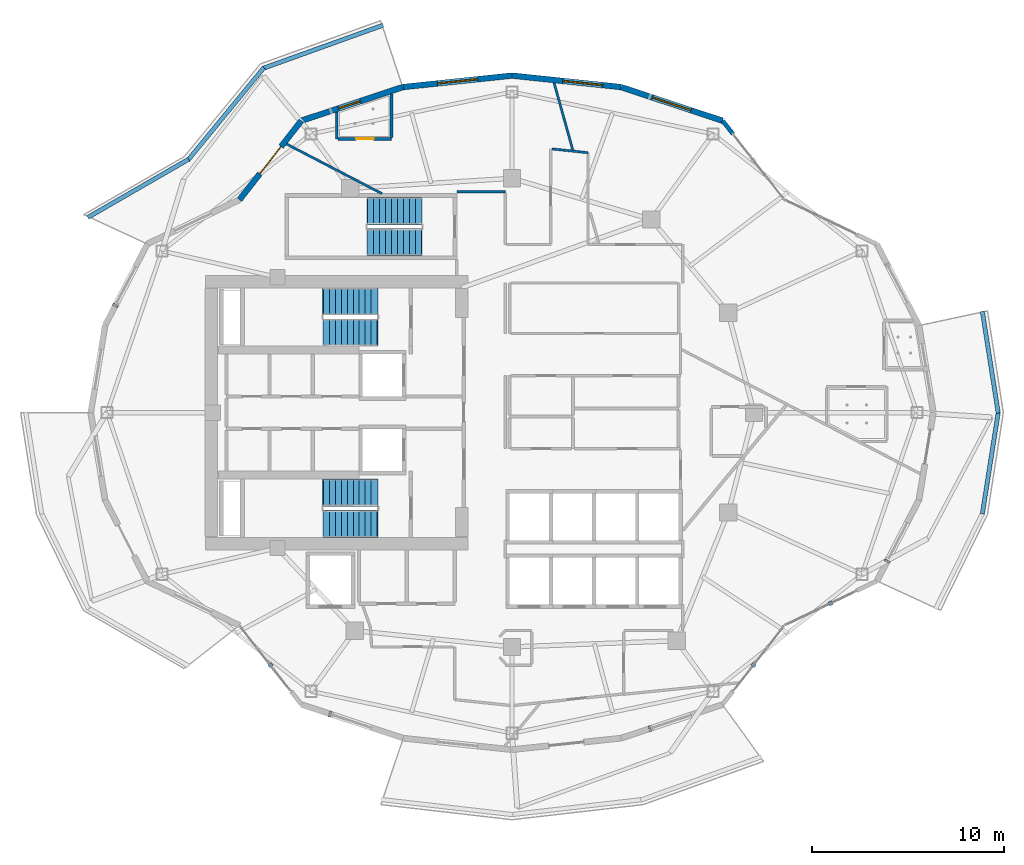
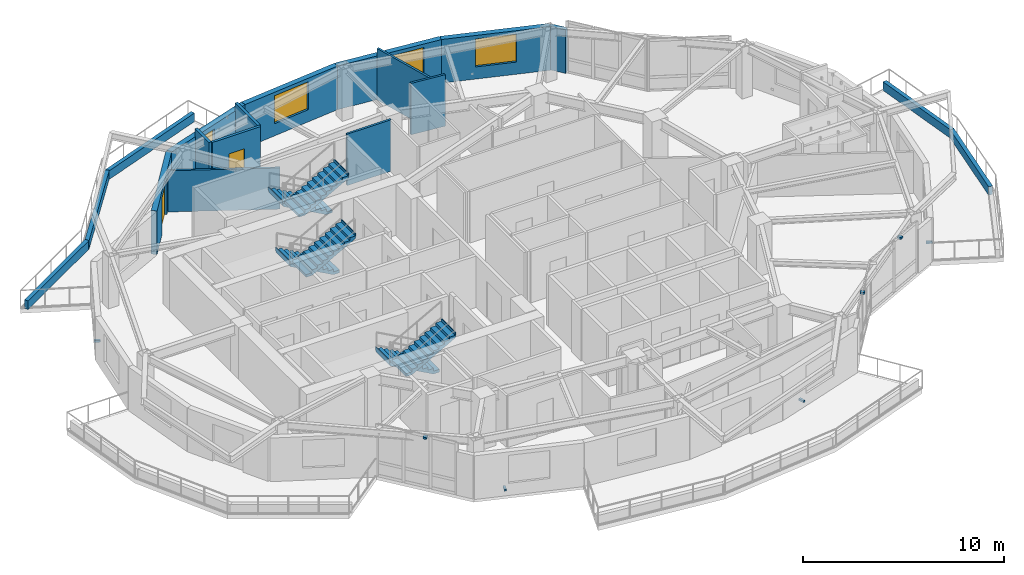
# One storey, part 12 of 19: 18 walls, 7 discrete accessories, 6 stair flights, 4 windows, 2 doors, 6 openings, 3 elements without a shape of their own.
"""IFC4 building model written with IfcOpenShell, lengths in metres."""

from ifc_helpers import new_model, si_unit, direction, frame, frame_2d, origin, origin_2d, place, context, subcontext, project, spatial, polyline, rectangle, outline, extrude, material, layer, layer_set, type_object, element, fill, aggregate, save


model = new_model("IFC4")

# Units and contexts
model_context = context("Model", 3, precision=1e-05, world=origin(), true_north=direction((0.0, 1.0)))
body_context = subcontext(model_context, "Body", "Model", "MODEL_VIEW")
ifc_project = project(units=[si_unit("LENGTHUNIT", "METRE"), si_unit("AREAUNIT", "SQUARE_METRE"), si_unit("VOLUMEUNIT", "CUBIC_METRE"), si_unit("PLANEANGLEUNIT", "RADIAN"), si_unit("MASSUNIT", "GRAM", prefix="KILO")], contexts=[model_context])

# Site, building, storey
site_placement = place(None, origin())
site = spatial("IfcSite", under=ifc_project, at=site_placement, CompositionType="ELEMENT")
building_placement = place(site_placement, origin())
building = spatial("IfcBuilding", under=site, at=building_placement, Name="Kolvaren Gate Tower and Convention Centre", CompositionType="ELEMENT")
storey_placement = place(building_placement, frame((0.0, 0.0, 169.89990234375)))
storey = spatial("IfcBuildingStorey", under=building, at=storey_placement, Name="L44", CompositionType="ELEMENT", Elevation=169.89990234375)

# Walls
ifc_material_1 = material(Name="Fire-Rated Acoustic Gypsum Stud Partition", Category="gypsum")
ifc_layer_1 = layer(ifc_material_1, 0.1201171875)
ifc_layer_set_1 = layer_set([ifc_layer_1], Name="Fire-Rated Acoustic Gypsum Stud Partition")
wall_type_1 = type_object("IfcWallType", Name="ARCH-WL-PART-120", PredefinedType="PARTITIONING", material=ifc_layer_set_1)
wall_1_placement = place(storey_placement, frame((27.25, 38.5, 0.0), z_axis=(0.0, 0.0, 1.0), x_axis=(1.0, 0.0, 0.0)))
element("IfcWall", 1, at=wall_1_placement, inside=storey, type_object=wall_type_1, Name="Interior Partition WL-L44-INT-038", PredefinedType="PARTITIONING", context=body_context, shape_type="SweptSolid", body=[
    extrude(rectangle(XDim=2.530029296875, YDim=0.1201171875, at=frame_2d((1.26513671875, 0.0))), origin(), (0.0, 0.0, 1.0), 3.130126953125),
])
wall_2_placement = place(storey_placement, frame((32.2119140625, 40.73046875, 0.0), z_axis=(0.0, 0.0, 1.0), x_axis=(0.994511860417, -0.104623895405, 0.0)))
element("IfcWall", 2, at=wall_2_placement, inside=storey, type_object=wall_type_1, Name="Interior Partition WL-L44-INT-046", PredefinedType="PARTITIONING", context=body_context, shape_type="SweptSolid", body=[
    extrude(rectangle(XDim=1.87841796875, YDim=0.1201171875, at=frame_2d((0.939208984375, 0.0))), origin(), (0.0, 0.0, 1.0), 3.130126953125),
])
wall_3_placement = place(storey_placement, frame((18.39599609375, 40.981201171875, 0.0), z_axis=(0.0, 0.0, 1.0), x_axis=(0.887120213162, -0.461538435452, 0.0)))
element("IfcWall", 3, at=wall_3_placement, inside=storey, type_object=wall_type_1, Name="Interior Partition WL-L44-INT-054", PredefinedType="PARTITIONING", context=body_context, shape_type="SweptSolid", body=[
    extrude(rectangle(XDim=5.588134765625, YDim=0.1201171875, at=frame_2d((2.7939453125, 0.0))), origin(), (0.0, 0.0, 1.0), 2.505126953125),
])
wall_4_placement = place(storey_placement, frame((32.317138671875, 44.166259765625, 0.0), z_axis=(0.0, 0.0, 1.0), x_axis=(0.268461316047, -0.963290465948, 0.0)))
element("IfcWall", 4, at=wall_4_placement, inside=storey, type_object=wall_type_1, Name="Interior Partition WL-L44-INT-070", PredefinedType="PARTITIONING", context=body_context, shape_type="SweptSolid", body=[
    extrude(rectangle(XDim=3.619384765625, YDim=0.1201171875, at=frame_2d((1.8095703125, 0.0))), origin(), (0.0, 0.0, 1.0), 3.130126953125),
])
ifc_material_2 = material(Name="Bogota Sabana Bush-Hammered Sandstone Cladding", Category="masonry")
ifc_layer_2 = layer(ifc_material_2, 0.219970703125)
ifc_layer_set_2 = layer_set([ifc_layer_2], Name="Bogota Sabana Bush-Hammered Sandstone Cladding")
wall_type_2 = type_object("IfcWallType", Name="ARCH-WL-PIER-220", PredefinedType="SOLIDWALL", material=ifc_layer_set_2)
wall_5_placement = place(storey_placement, frame((41.09375, 42.19873046875, 0.0), z_axis=(0.0, 0.0, 1.0), x_axis=(0.616368366719, -0.787457958566, 0.0)))
element("IfcWall", 5, at=wall_5_placement, inside=storey, type_object=wall_type_2, Name="Tower L44 Unitised Curtain Wall CW-HTL-UNIT Bay 03 Left Column Pier Wrap", PredefinedType="SOLIDWALL", context=body_context, shape_type="SweptSolid", body=[
    extrude(rectangle(XDim=0.876220703125, YDim=0.219970703125, at=frame_2d((0.43798828125, 0.0))), origin(), (0.0, 0.0, 1.0), 2.653076171875),
])
ifc_material_3 = material(Name="Piedmont Cream Honed Limestone Cladding", Category="masonry")
ifc_layer_3 = layer(ifc_material_3, 0.219970703125)
ifc_layer_set_3 = layer_set([ifc_layer_3], Name="Piedmont Cream Honed Limestone Cladding")
wall_type_3 = type_object("IfcWallType", Name="ARCH-WL-PLANTER-220", PredefinedType="PARAPET", material=ifc_layer_set_3)
wall_6_placement = place(storey_placement, frame((17.14306640625, 44.917724609375, 0.0), z_axis=(0.0, 0.0, 1.0), x_axis=(0.94094437769, 0.33856118811, 0.0)))
element("IfcWall", 6, at=wall_6_placement, inside=storey, type_object=wall_type_3, Name="Vertical-Forest Balcony Stone Planter Kerb PK-L44-1.1", PredefinedType="PARAPET", context=body_context, shape_type="SweptSolid", body=[
    extrude(rectangle(XDim=6.663818359375, YDim=0.219970703125, at=frame_2d((3.33203125, 0.0))), origin(), (0.0, 0.0, 1.0), 0.52001953125),
])
wall_7_placement = place(storey_placement, frame((13.24609375, 40.13720703125, 0.0), z_axis=(0.0, 0.0, 1.0), x_axis=(0.634429234628, 0.77298094818, 0.0)))
element("IfcWall", 7, at=wall_7_placement, inside=storey, type_object=wall_type_3, Name="Vertical-Forest Balcony Stone Planter Kerb PK-L44-1.2", PredefinedType="PARAPET", context=body_context, shape_type="SweptSolid", body=[
    extrude(rectangle(XDim=6.244873046875, YDim=0.219970703125, at=frame_2d((3.12255859375, 0.0))), origin(), (0.0, 0.0, 1.0), 0.52001953125),
])
wall_8_placement = place(storey_placement, frame((8.0439453125, 37.16552734375, 0.0), z_axis=(0.0, 0.0, 1.0), x_axis=(0.866058128659, 0.499943314571, 0.0)))
element("IfcWall", 8, at=wall_8_placement, inside=storey, type_object=wall_type_3, Name="Vertical-Forest Balcony Stone Planter Kerb PK-L44-1.3", PredefinedType="PARAPET", context=body_context, shape_type="SweptSolid", body=[
    extrude(rectangle(XDim=6.060302734375, YDim=0.219970703125, at=frame_2d((3.0302734375, 0.0))), origin(), (0.0, 0.0, 1.0), 0.52001953125),
])
for number, where, z_axis, x_axis, name in (
    (9, (54.615234375, 21.719970703125, 0.0), (0.0, 0.0, 1.0), (0.154245214003, 0.988032597619, 0.0), "Vertical-Forest Balcony Stone Planter Kerb PK-L44-4.2"),
    (10, (54.615234375, 32.280029296875, 0.0), (0.0, 0.0, 1.0), (0.154245214003, -0.988032597619, 0.0), "Vertical-Forest Balcony Stone Planter Kerb PK-L44-4.3"),
):
    element("IfcWall", number, at=place(storey_placement, frame(where, z_axis=z_axis, x_axis=x_axis)), inside=storey, type_object=wall_type_3, Name=name, PredefinedType="PARAPET", context=body_context, shape_type="SweptSolid", body=[
        extrude(rectangle(XDim=5.37353515625, YDim=0.219970703125, at=frame_2d((2.686767578125, 0.0))), origin(), (0.0, 0.0, 1.0), 0.52001953125),
    ])

# Wall, opening, window
ifc_layer_4 = layer(ifc_material_3, 0.300048828125)
ifc_layer_set_4 = layer_set([ifc_layer_4], Name="Piedmont Cream Honed Limestone Cladding")
wall_type_4 = type_object("IfcWallType", Name="ARCH-WL-STONE-300", PredefinedType="SOLIDWALL", material=ifc_layer_set_4)
wall_9_placement = place(storey_placement, frame((35.802734375, 43.951904296875, 0.0), z_axis=(0.0, 0.0, 1.0), x_axis=(0.949246811547, -0.314532177636, 0.0)))
wall_9 = element("IfcWall", 11, at=wall_9_placement, inside=storey, type_object=wall_type_4, Name="Tower L44 Honed Stone Spandrel Wall EW-04", PredefinedType="SOLIDWALL", context=body_context, shape_type="SweptSolid", body=[
    extrude(rectangle(XDim=5.573974609375, YDim=0.300048828125, at=frame_2d((2.787109375, 0.0))), origin(), (0.0, 0.0, 1.0), 2.653076171875),
])
opening_1_placement = place(wall_9_placement, frame((1.737060546875, 0.0, 0.739990234375)))
opening_1 = element("IfcOpeningElement", 12, at=opening_1_placement, cuts=wall_9, Name="Opening W-02", PredefinedType="OPENING", context=body_context, shape_type="SweptSolid", body=[
    extrude(rectangle(XDim=2.10009765625, YDim=1.699951171875, at=frame_2d((1.050048828125, 0.85009765625))), frame((0.0, 0.159912109375, 0.0), z_axis=(0.0, -1.0, 0.0), x_axis=(1.0, 0.0, 0.0)), (0.0, 0.0, 1.0), 0.320068359375),
])
ifc_material_4 = material(Name="Low-E Triple Insulated Glazing Unit 44 mm", Category="glass")
window_type_1 = type_object("IfcWindowType", Name="ARCH-WN-HTL-2100", PartitioningType="SINGLE_PANEL", PredefinedType="WINDOW", material=ifc_material_4)
window_1_placement = place(opening_1_placement, origin())
window_1 = element("IfcWindow", 13, at=window_1_placement, inside=storey, type_object=window_type_1, Name="Tower L44 Punched Stone Facade Window W-04", OverallHeight=1.699951171875, OverallWidth=2.10009765625, PartitioningType="SINGLE_PANEL", PredefinedType="WINDOW", context=body_context, shape_type="SweptSolid", body=[
    extrude(rectangle(XDim=2.10009765625, YDim=1.699951171875, at=frame_2d((1.050048828125, 0.85009765625))), frame((0.0, 0.030029296875, 0.0), z_axis=(0.0, -1.0, 0.0), x_axis=(1.0, 0.0, 0.0)), (0.0, 0.0, 1.0), 0.06005859375),
])
fill(opening_1, window_1)

wall_10_placement = place(storey_placement, frame((30.125, 44.550048828125, 0.0), z_axis=(0.0, 0.0, 1.0), x_axis=(0.994496545245, -0.104769372887, 0.0)))
wall_10 = element("IfcWall", 14, at=wall_10_placement, inside=storey, type_object=wall_type_4, Name="Tower L44 Honed Stone Spandrel Wall EW-05", PredefinedType="SOLIDWALL", context=body_context, shape_type="SweptSolid", body=[
    extrude(rectangle(XDim=5.709228515625, YDim=0.300048828125, at=frame_2d((2.8544921875, 0.0))), origin(), (0.0, 0.0, 1.0), 2.653076171875),
])
opening_2_placement = place(wall_10_placement, frame((2.64990234375, 0.0, 0.739990234375)))
opening_2 = element("IfcOpeningElement", 15, at=opening_2_placement, cuts=wall_10, Name="Opening W-02", PredefinedType="OPENING", context=body_context, shape_type="SweptSolid", body=[
    extrude(rectangle(XDim=2.10009765625, YDim=1.699951171875, at=frame_2d((1.050048828125, 0.85009765625))), frame((0.0, 0.159912109375, 0.0), z_axis=(0.0, -1.0, 0.0), x_axis=(1.0, 0.0, 0.0)), (0.0, 0.0, 1.0), 0.320068359375),
])
window_2_placement = place(opening_2_placement, origin())
window_2 = element("IfcWindow", 16, at=window_2_placement, inside=storey, type_object=window_type_1, Name="Tower L44 Punched Stone Facade Window W-05", OverallHeight=1.699951171875, OverallWidth=2.10009765625, PartitioningType="SINGLE_PANEL", PredefinedType="WINDOW", context=body_context, shape_type="SweptSolid", body=[
    extrude(rectangle(XDim=2.10009765625, YDim=1.699951171875, at=frame_2d((1.050048828125, 0.85009765625))), frame((0.0, 0.030029296875, 0.0), z_axis=(0.0, -1.0, 0.0), x_axis=(1.0, 0.0, 0.0)), (0.0, 0.0, 1.0), 0.06005859375),
])
fill(opening_2, window_2)

wall_11_placement = place(storey_placement, frame((24.447265625, 43.951904296875, 0.0), z_axis=(0.0, 0.0, 1.0), x_axis=(0.994496545245, 0.104769372887, 0.0)))
wall_11 = element("IfcWall", 17, at=wall_11_placement, inside=storey, type_object=wall_type_4, Name="Tower L44 Honed Stone Spandrel Wall EW-06", PredefinedType="SOLIDWALL", context=body_context, shape_type="SweptSolid", body=[
    extrude(rectangle(XDim=5.709228515625, YDim=0.300048828125, at=frame_2d((2.8544921875, 0.0))), origin(), (0.0, 0.0, 1.0), 2.653076171875),
])
opening_3_placement = place(wall_11_placement, frame((1.804931640625, 0.0, 0.739990234375)))
opening_3 = element("IfcOpeningElement", 18, at=opening_3_placement, cuts=wall_11, Name="Opening W-02", PredefinedType="OPENING", context=body_context, shape_type="SweptSolid", body=[
    extrude(rectangle(XDim=2.10009765625, YDim=1.699951171875, at=frame_2d((1.050048828125, 0.85009765625))), frame((0.0, 0.159912109375, 0.0), z_axis=(0.0, -1.0, 0.0), x_axis=(1.0, 0.0, 0.0)), (0.0, 0.0, 1.0), 0.320068359375),
])
window_3_placement = place(opening_3_placement, origin())
window_3 = element("IfcWindow", 19, at=window_3_placement, inside=storey, type_object=window_type_1, Name="Tower L44 Punched Stone Facade Window W-06", OverallHeight=1.699951171875, OverallWidth=2.10009765625, PartitioningType="SINGLE_PANEL", PredefinedType="WINDOW", context=body_context, shape_type="SweptSolid", body=[
    extrude(rectangle(XDim=2.10009765625, YDim=1.699951171875, at=frame_2d((1.050048828125, 0.85009765625))), frame((0.0, 0.030029296875, 0.0), z_axis=(0.0, -1.0, 0.0), x_axis=(1.0, 0.0, 0.0)), (0.0, 0.0, 1.0), 0.06005859375),
])
fill(opening_3, window_3)

wall_12_placement = place(storey_placement, frame((19.15625, 42.19873046875, 0.0), z_axis=(0.0, 0.0, 1.0), x_axis=(0.949246811547, 0.314532177636, 0.0)))
wall_12 = element("IfcWall", 20, at=wall_12_placement, inside=storey, type_object=wall_type_4, Name="Tower L44 Honed Stone Spandrel Wall EW-07", PredefinedType="SOLIDWALL", context=body_context, shape_type="SweptSolid", body=[
    extrude(rectangle(XDim=5.573974609375, YDim=0.300048828125, at=frame_2d((2.787109375, 0.0))), origin(), (0.0, 0.0, 1.0), 2.653076171875),
])
opening_4_placement = place(wall_12_placement, frame((2.0400390625, 0.0, 0.719970703125)))
opening_4 = element("IfcOpeningElement", 21, at=opening_4_placement, cuts=wall_12, Name="Opening W-04", PredefinedType="OPENING", context=body_context, shape_type="SweptSolid", body=[
    extrude(rectangle(XDim=1.199951171875, YDim=1.64990234375, at=frame_2d((0.60009765625, 0.824951171875))), frame((0.0, 0.159912109375, 0.0), z_axis=(0.0, -1.0, 0.0), x_axis=(1.0, 0.0, 0.0)), (0.0, 0.0, 1.0), 0.320068359375),
])
window_type_2 = type_object("IfcWindowType", Name="ARCH-WN-NARROW-1200", PartitioningType="SINGLE_PANEL", PredefinedType="WINDOW", material=ifc_material_4)
window_4_placement = place(opening_4_placement, origin())
window_4 = element("IfcWindow", 22, at=window_4_placement, inside=storey, type_object=window_type_2, Name="Tower L44 Punched Stone Facade Window W-07", OverallHeight=1.64990234375, OverallWidth=1.199951171875, PartitioningType="SINGLE_PANEL", PredefinedType="WINDOW", context=body_context, shape_type="SweptSolid", body=[
    extrude(rectangle(XDim=1.199951171875, YDim=1.64990234375, at=frame_2d((0.60009765625, 0.824951171875))), frame((0.0, 0.030029296875, 0.0), z_axis=(0.0, -1.0, 0.0), x_axis=(1.0, 0.0, 0.0)), (0.0, 0.0, 1.0), 0.06005859375),
])
fill(opening_4, window_4)

# Wall, opening, door
wall_13_placement = place(storey_placement, frame((15.9365234375, 38.0859375, 0.0), z_axis=(0.0, 0.0, 1.0), x_axis=(0.616429245738, 0.787410302828, 0.0)))
wall_13 = element("IfcWall", 23, at=wall_13_placement, inside=storey, type_object=wall_type_4, Name="Tower L44 Honed Stone Spandrel Wall EW-08", PredefinedType="SOLIDWALL", context=body_context, shape_type="SweptSolid", body=[
    extrude(rectangle(XDim=5.22314453125, YDim=0.300048828125, at=frame_2d((2.611572265625, 0.0))), origin(), (0.0, 0.0, 1.0), 2.653076171875),
])
opening_5_placement = place(wall_13_placement, frame((1.7119140625, 0.0, 0.0)))
opening_5 = element("IfcOpeningElement", 24, at=opening_5_placement, cuts=wall_13, Name="Opening DB-01", PredefinedType="OPENING", context=body_context, shape_type="SweptSolid", body=[
    extrude(rectangle(XDim=1.800048828125, YDim=2.25, at=frame_2d((0.89990234375, 1.125))), frame((0.0, 0.159912109375, 0.0), z_axis=(0.0, -1.0, 0.0), x_axis=(1.0, 0.0, 0.0)), (0.0, 0.0, 1.0), 0.320068359375),
])
ifc_material_5 = material(Name="Anodized Architectural Aluminium Alloy 6063-T6", Category="aluminium")
door_type_1 = type_object("IfcDoorType", Name="ARCH-DR-BALC-1800", OperationType="SLIDING_TO_LEFT", PredefinedType="DOOR", material=ifc_material_5)
door_1_placement = place(opening_5_placement, origin())
door_1 = element("IfcDoor", 25, at=door_1_placement, inside=storey, type_object=door_type_1, Name="Planted Sky Terrace Access Door DB-L44-08", OperationType="SLIDING_TO_LEFT", OverallHeight=2.25, OverallWidth=1.800048828125, PredefinedType="DOOR", context=body_context, shape_type="SweptSolid", body=[
    extrude(rectangle(XDim=1.800048828125, YDim=2.25, at=frame_2d((0.89990234375, 1.125))), frame((0.0, 0.02490234375, 0.0), z_axis=(0.0, -1.0, 0.0), x_axis=(1.0, 0.0, 0.0)), (0.0, 0.0, 1.0), 0.050048828125),
])
fill(opening_5, door_1)

# Wall
ifc_material_6 = material(Name="Moisture-Resistant Cement-Board Acoustic Partition", Category="gypsum")
ifc_layer_5 = layer(ifc_material_6, 0.14990234375)
ifc_layer_set_5 = layer_set([ifc_layer_5], Name="Moisture-Resistant Cement-Board Acoustic Partition")
wall_type_5 = type_object("IfcWallType", Name="ARCH-WL-WET-150", PredefinedType="PARTITIONING", material=ifc_layer_set_5)
wall_14_placement = place(storey_placement, frame((21.0, 41.25, 0.0), z_axis=(0.0, 0.0, 1.0), x_axis=(0.0, 1.0, 0.0)))
element("IfcWall", 26, at=wall_14_placement, inside=storey, type_object=wall_type_5, Name="Interior Partition WL-L44-INT-072", PredefinedType="PARTITIONING", context=body_context, shape_type="SweptSolid", body=[
    extrude(rectangle(XDim=1.3994140625, YDim=0.14990234375, at=frame_2d((0.69970703125, 0.0))), origin(), (0.0, 0.0, 1.0), 3.130126953125),
])

# Wall, opening, door
wall_15_placement = place(storey_placement, frame((21.076904296875, 41.25, 0.0), z_axis=(0.0, 0.0, 1.0), x_axis=(1.0, 0.0, 0.0)))
wall_15 = element("IfcWall", 27, at=wall_15_placement, inside=storey, type_object=wall_type_5, Name="Interior Partition WL-L44-INT-073", PredefinedType="PARTITIONING", context=body_context, shape_type="SweptSolid", body=[
    extrude(rectangle(XDim=2.773193359375, YDim=0.14990234375, at=frame_2d((1.38671875, 0.0))), origin(), (0.0, 0.0, 1.0), 3.130126953125),
])
opening_6_placement = place(wall_15_placement, frame((0.9365234375, 0.0, 0.0)))
opening_6 = element("IfcOpeningElement", 28, at=opening_6_placement, cuts=wall_15, Name="Opening DW-01", PredefinedType="OPENING", context=body_context, shape_type="SweptSolid", body=[
    extrude(rectangle(XDim=0.89990234375, YDim=2.10009765625, at=frame_2d((0.449951171875, 1.050048828125))), frame((0.0, 0.0849609375, 0.0), z_axis=(0.0, -1.0, 0.0), x_axis=(1.0, 0.0, 0.0)), (0.0, 0.0, 1.0), 0.169921875),
])
ifc_material_7 = material(Name="FSC Andean Oak Engineered Veneer Door Leaf", Category="wood")
door_type_2 = type_object("IfcDoorType", Name="ARCH-DR-WC-900", OperationType="SINGLE_SWING_RIGHT", PredefinedType="DOOR", material=ifc_material_7)
door_2_placement = place(opening_6_placement, origin())
door_2 = element("IfcDoor", 29, at=door_2_placement, inside=storey, type_object=door_type_2, Name="En-suite Bathroom (HTL-L44-06) Door", OperationType="SINGLE_SWING_RIGHT", OverallHeight=2.10009765625, OverallWidth=0.89990234375, PredefinedType="DOOR", context=body_context, shape_type="SweptSolid", body=[
    extrude(rectangle(XDim=0.89990234375, YDim=2.10009765625, at=frame_2d((0.449951171875, 1.050048828125))), frame((0.0, 0.02490234375, 0.0), z_axis=(0.0, -1.0, 0.0), x_axis=(1.0, 0.0, 0.0)), (0.0, 0.0, 1.0), 0.050048828125),
])
fill(opening_6, door_2)

# Wall
wall_16_placement = place(storey_placement, frame((23.85009765625, 41.326904296875, 0.0), z_axis=(0.0, 0.0, 1.0), x_axis=(0.0, 1.0, 0.0)))
element("IfcWall", 30, at=wall_16_placement, inside=storey, type_object=wall_type_5, Name="Interior Partition WL-L44-INT-074", PredefinedType="PARTITIONING", context=body_context, shape_type="SweptSolid", body=[
    extrude(rectangle(XDim=2.26708984375, YDim=0.14990234375, at=frame_2d((1.133544921875, 0.0))), origin(), (0.0, 0.0, 1.0), 3.130126953125),
])

# Stair, stair flights
ifc_material_8 = material(Name="Concrete C50/60", Category="concrete")
stair_type = type_object("IfcStairType", Name="STR-STAIR-CORE", PredefinedType="HALF_TURN_STAIR", material=ifc_material_8)
stair_1_placement = place(storey_placement, origin())
stair_1 = element("IfcStair", 31, at=stair_1_placement, inside=storey, type_object=stair_type, Name="L44 Tower North Exit Stair ST-T1", PredefinedType="HALF_TURN_STAIR")
stair_flight_type = type_object("IfcStairFlightType", Name="STR-SFL-1420", PredefinedType="STRAIGHT", material=ifc_material_8)
stair_flight_1_placement = place(storey_placement, frame((23.10009765625, 32.7900390625, 0.0), z_axis=(0.0, 0.0, 1.0), x_axis=(-1.0, 0.0, 0.0)))
stair_flight_1 = element("IfcStairFlight", 32, at=stair_flight_1_placement, type_object=stair_flight_type, Name="ST-T1 flight 1", NumberOfRisers=10, NumberOfTreads=9, PredefinedType="STRAIGHT", RiserHeight=0.17, TreadLength=0.31, context=body_context, shape_type="SweptSolid", body=[
    extrude(outline(polyline([(-0.034912109375, 0.0), (-0.034912109375, 0.169921875), (0.31005859375, 0.169921875), (0.31005859375, 0.340087890625), (0.6201171875, 0.340087890625), (0.6201171875, 0.510009765625), (0.929931640625, 0.510009765625), (0.929931640625, 0.679931640625), (1.239990234375, 0.679931640625), (1.239990234375, 0.85009765625), (1.550048828125, 0.85009765625), (1.550048828125, 1.02001953125), (1.860107421875, 1.02001953125), (1.860107421875, 1.18994140625), (2.169921875, 1.18994140625), (2.169921875, 1.360107421875), (2.47998046875, 1.360107421875), (2.47998046875, 1.530029296875), (2.7900390625, 1.530029296875), (2.7900390625, 1.699951171875), (2.8349609375, 1.699951171875), (2.8349609375, 1.5400390625), (2.7900390625, 1.359130859375), (0.311767578125, 0.0), (-0.034912109375, 0.0)])), frame((0.0, 0.7099609375, 0.0), z_axis=(0.0, -1.0, 0.0), x_axis=(1.0, 0.0, 0.0)), (0.0, 0.0, 1.0), 1.419921875),
])
stair_flight_2_placement = place(storey_placement, frame((20.31005859375, 31.169921875, 1.7001953125), z_axis=(0.0, 0.0, 1.0), x_axis=(1.0, 0.0, 0.0)))
stair_flight_2 = element("IfcStairFlight", 33, at=stair_flight_2_placement, type_object=stair_flight_type, Name="ST-T1 flight 2", NumberOfRisers=10, NumberOfTreads=9, PredefinedType="STRAIGHT", RiserHeight=0.17, TreadLength=0.31, context=body_context, shape_type="SweptSolid", body=[
    extrude(outline(polyline([(-0.034912109375, 0.0), (-0.034912109375, 0.169921875), (0.31005859375, 0.169921875), (0.31005859375, 0.340087890625), (0.6201171875, 0.340087890625), (0.6201171875, 0.510009765625), (0.929931640625, 0.510009765625), (0.929931640625, 0.679931640625), (1.239990234375, 0.679931640625), (1.239990234375, 0.85009765625), (1.550048828125, 0.85009765625), (1.550048828125, 1.02001953125), (1.860107421875, 1.02001953125), (1.860107421875, 1.18994140625), (2.169921875, 1.18994140625), (2.169921875, 1.360107421875), (2.47998046875, 1.360107421875), (2.47998046875, 1.530029296875), (2.7900390625, 1.530029296875), (2.7900390625, 1.699951171875), (2.8349609375, 1.699951171875), (2.8349609375, 1.5400390625), (2.7900390625, 1.359130859375), (0.311767578125, 0.0), (-0.034912109375, 0.0)])), frame((0.0, 0.7099609375, 0.0), z_axis=(0.0, -1.0, 0.0), x_axis=(1.0, 0.0, 0.0)), (0.0, 0.0, 1.0), 1.419921875),
])
aggregate(stair_1, [stair_flight_1, stair_flight_2])

stair_2_placement = place(storey_placement, origin())
stair_2 = element("IfcStair", 34, at=stair_2_placement, inside=storey, type_object=stair_type, Name="L44 Tower South Exit Stair ST-T2", PredefinedType="HALF_TURN_STAIR")
stair_flight_3_placement = place(storey_placement, frame((23.10009765625, 22.830078125, 0.0), z_axis=(0.0, 0.0, 1.0), x_axis=(-1.0, 0.0, 0.0)))
stair_flight_3 = element("IfcStairFlight", 35, at=stair_flight_3_placement, type_object=stair_flight_type, Name="ST-T2 flight 1", NumberOfRisers=10, NumberOfTreads=9, PredefinedType="STRAIGHT", RiserHeight=0.17, TreadLength=0.31, context=body_context, shape_type="SweptSolid", body=[
    extrude(outline(polyline([(-0.034912109375, 0.0), (-0.034912109375, 0.169921875), (0.31005859375, 0.169921875), (0.31005859375, 0.340087890625), (0.6201171875, 0.340087890625), (0.6201171875, 0.510009765625), (0.929931640625, 0.510009765625), (0.929931640625, 0.679931640625), (1.239990234375, 0.679931640625), (1.239990234375, 0.85009765625), (1.550048828125, 0.85009765625), (1.550048828125, 1.02001953125), (1.860107421875, 1.02001953125), (1.860107421875, 1.18994140625), (2.169921875, 1.18994140625), (2.169921875, 1.360107421875), (2.47998046875, 1.360107421875), (2.47998046875, 1.530029296875), (2.7900390625, 1.530029296875), (2.7900390625, 1.699951171875), (2.8349609375, 1.699951171875), (2.8349609375, 1.5400390625), (2.7900390625, 1.359130859375), (0.311767578125, 0.0), (-0.034912109375, 0.0)])), frame((0.0, 0.7099609375, 0.0), z_axis=(0.0, -1.0, 0.0), x_axis=(1.0, 0.0, 0.0)), (0.0, 0.0, 1.0), 1.419921875),
])
stair_flight_4_placement = place(storey_placement, frame((20.31005859375, 21.2099609375, 1.7001953125), z_axis=(0.0, 0.0, 1.0), x_axis=(1.0, 0.0, 0.0)))
stair_flight_4 = element("IfcStairFlight", 36, at=stair_flight_4_placement, type_object=stair_flight_type, Name="ST-T2 flight 2", NumberOfRisers=10, NumberOfTreads=9, PredefinedType="STRAIGHT", RiserHeight=0.17, TreadLength=0.31, context=body_context, shape_type="SweptSolid", body=[
    extrude(outline(polyline([(-0.034912109375, 0.0), (-0.034912109375, 0.169921875), (0.31005859375, 0.169921875), (0.31005859375, 0.340087890625), (0.6201171875, 0.340087890625), (0.6201171875, 0.510009765625), (0.929931640625, 0.510009765625), (0.929931640625, 0.679931640625), (1.239990234375, 0.679931640625), (1.239990234375, 0.85009765625), (1.550048828125, 0.85009765625), (1.550048828125, 1.02001953125), (1.860107421875, 1.02001953125), (1.860107421875, 1.18994140625), (2.169921875, 1.18994140625), (2.169921875, 1.360107421875), (2.47998046875, 1.360107421875), (2.47998046875, 1.530029296875), (2.7900390625, 1.530029296875), (2.7900390625, 1.699951171875), (2.8349609375, 1.699951171875), (2.8349609375, 1.5400390625), (2.7900390625, 1.359130859375), (0.311767578125, 0.0), (-0.034912109375, 0.0)])), frame((0.0, 0.7099609375, 0.0), z_axis=(0.0, -1.0, 0.0), x_axis=(1.0, 0.0, 0.0)), (0.0, 0.0, 1.0), 1.419921875),
])
aggregate(stair_2, [stair_flight_3, stair_flight_4])

stair_3_placement = place(storey_placement, origin())
stair_3 = element("IfcStair", 37, at=stair_3_placement, inside=storey, type_object=stair_type, Name="L44 Tower Mid-Zone Exit Stair ST-T3", PredefinedType="HALF_TURN_STAIR")
stair_flight_5_placement = place(storey_placement, frame((25.39990234375, 37.489990234375, 0.0), z_axis=(0.0, 0.0, 1.0), x_axis=(-1.0, 0.0, 0.0)))
stair_flight_5 = element("IfcStairFlight", 38, at=stair_flight_5_placement, type_object=stair_flight_type, Name="ST-T3 flight 1", NumberOfRisers=10, NumberOfTreads=9, PredefinedType="STRAIGHT", RiserHeight=0.17, TreadLength=0.31, context=body_context, shape_type="SweptSolid", body=[
    extrude(outline(polyline([(-0.034912109375, 0.0), (-0.034912109375, 0.169921875), (0.31005859375, 0.169921875), (0.31005859375, 0.340087890625), (0.6201171875, 0.340087890625), (0.6201171875, 0.510009765625), (0.929931640625, 0.510009765625), (0.929931640625, 0.679931640625), (1.239990234375, 0.679931640625), (1.239990234375, 0.85009765625), (1.550048828125, 0.85009765625), (1.550048828125, 1.02001953125), (1.860107421875, 1.02001953125), (1.860107421875, 1.18994140625), (2.169921875, 1.18994140625), (2.169921875, 1.360107421875), (2.47998046875, 1.360107421875), (2.47998046875, 1.530029296875), (2.7900390625, 1.530029296875), (2.7900390625, 1.699951171875), (2.8349609375, 1.699951171875), (2.8349609375, 1.5400390625), (2.7900390625, 1.359130859375), (0.311767578125, 0.0), (-0.034912109375, 0.0)])), frame((0.0, 0.7099609375, 0.0), z_axis=(0.0, -1.0, 0.0), x_axis=(1.0, 0.0, 0.0)), (0.0, 0.0, 1.0), 1.419921875),
])
stair_flight_6_placement = place(storey_placement, frame((22.610107421875, 35.8701171875, 1.7001953125), z_axis=(0.0, 0.0, 1.0), x_axis=(1.0, 0.0, 0.0)))
stair_flight_6 = element("IfcStairFlight", 39, at=stair_flight_6_placement, type_object=stair_flight_type, Name="ST-T3 flight 2", NumberOfRisers=10, NumberOfTreads=9, PredefinedType="STRAIGHT", RiserHeight=0.17, TreadLength=0.31, context=body_context, shape_type="SweptSolid", body=[
    extrude(outline(polyline([(-0.034912109375, 0.0), (-0.034912109375, 0.169921875), (0.31005859375, 0.169921875), (0.31005859375, 0.340087890625), (0.6201171875, 0.340087890625), (0.6201171875, 0.510009765625), (0.929931640625, 0.510009765625), (0.929931640625, 0.679931640625), (1.239990234375, 0.679931640625), (1.239990234375, 0.85009765625), (1.550048828125, 0.85009765625), (1.550048828125, 1.02001953125), (1.860107421875, 1.02001953125), (1.860107421875, 1.18994140625), (2.169921875, 1.18994140625), (2.169921875, 1.360107421875), (2.47998046875, 1.360107421875), (2.47998046875, 1.530029296875), (2.7900390625, 1.530029296875), (2.7900390625, 1.699951171875), (2.8349609375, 1.699951171875), (2.8349609375, 1.5400390625), (2.7900390625, 1.359130859375), (0.311767578125, 0.0), (-0.034912109375, 0.0)])), frame((0.0, 0.7099609375, 0.0), z_axis=(0.0, -1.0, 0.0), x_axis=(1.0, 0.0, 0.0)), (0.0, 0.0, 1.0), 1.419921875),
])
aggregate(stair_3, [stair_flight_5, stair_flight_6])

# Discrete accessories
discrete_accessory_type = type_object("IfcDiscreteAccessoryType", Name="ARCH-ACC-BRACKET-120", PredefinedType="BRACKET", material=ifc_material_5)
discrete_accessory_1_placement = place(storey_placement, frame((9.474365234375, 32.583984375, 0.2900390625), z_axis=(0.0, 0.0, 1.0), x_axis=(0.459798409467, 0.888023323259, 0.0)))
element("IfcDiscreteAccessory", 40, at=discrete_accessory_1_placement, inside=storey, type_object=discrete_accessory_type, Name="Ceramic Fin Wall Anchor Bracket FBK-L44-10", PredefinedType="BRACKET", context=body_context, shape_type="SweptSolid", body=[
    extrude(rectangle(XDim=0.1201171875, YDim=0.320068359375, at=origin_2d()), origin(), (0.0, 0.0, 1.0), 0.1201171875),
])
discrete_accessory_2_placement = place(storey_placement, frame((17.54638671875, 13.857666015625, 2.949951171875), z_axis=(0.0, 0.0, 1.0), x_axis=(0.616434119112, -0.787406487651, 0.0)))
element("IfcDiscreteAccessory", 41, at=discrete_accessory_2_placement, inside=storey, type_object=discrete_accessory_type, Name="Solar Screen Spandrel Anchor Bracket BK-L44-15", PredefinedType="BRACKET", context=body_context, shape_type="SweptSolid", body=[
    extrude(rectangle(XDim=0.179931640625, YDim=0.219970703125, at=origin_2d()), origin(), (0.0, 0.0, 1.0), 0.1201171875),
])
for number, where, z_axis, x_axis, name in (
    (42, (20.6533203125, 11.30517578125, 0.2900390625), (0.0, 0.0, 1.0), (0.949239532616, -0.314554144335, 0.0), "Ceramic Fin Wall Anchor Bracket FBK-L44-16"),
    (43, (37.2998046875, 10.544189453125, 0.2900390625), (0.0, 0.0, 1.0), (0.949239532616, 0.314554144335, 0.0), "Ceramic Fin Wall Anchor Bracket FBK-L44-19"),
):
    element("IfcDiscreteAccessory", number, at=place(storey_placement, frame(where, z_axis=z_axis, x_axis=x_axis)), inside=storey, type_object=discrete_accessory_type, Name=name, PredefinedType="BRACKET", context=body_context, shape_type="SweptSolid", body=[
        extrude(rectangle(XDim=0.1201171875, YDim=0.320068359375, at=origin_2d()), origin(), (0.0, 0.0, 1.0), 0.1201171875),
    ])
for number, where, z_axis, x_axis, name in (
    (44, (42.70361328125, 13.857666015625, 2.949951171875), (0.0, 0.0, 1.0), (0.616434119112, 0.787406487651, 0.0), "Solar Screen Spandrel Anchor Bracket BK-L44-20"),
    (45, (46.718505859375, 17.069580078125, 2.949951171875), (0.0, 0.0, 1.0), (0.901358389955, 0.433073957723, 0.0), "Solar Screen Spandrel Anchor Bracket BK-L44-21"),
):
    element("IfcDiscreteAccessory", number, at=place(storey_placement, frame(where, z_axis=z_axis, x_axis=x_axis)), inside=storey, type_object=discrete_accessory_type, Name=name, PredefinedType="BRACKET", context=body_context, shape_type="SweptSolid", body=[
        extrude(rectangle(XDim=0.179931640625, YDim=0.219970703125, at=origin_2d()), origin(), (0.0, 0.0, 1.0), 0.1201171875),
    ])
discrete_accessory_3_placement = place(storey_placement, frame((49.66259765625, 19.2666015625, 0.2900390625), z_axis=(0.0, 0.0, 1.0), x_axis=(0.459798409467, 0.888023323259, 0.0)))
element("IfcDiscreteAccessory", 46, at=discrete_accessory_3_placement, inside=storey, type_object=discrete_accessory_type, Name="Ceramic Fin Wall Anchor Bracket FBK-L44-22", PredefinedType="BRACKET", context=body_context, shape_type="SweptSolid", body=[
    extrude(rectangle(XDim=0.1201171875, YDim=0.320068359375, at=origin_2d()), origin(), (0.0, 0.0, 1.0), 0.1201171875),
])

save(model, "model.ifc")
